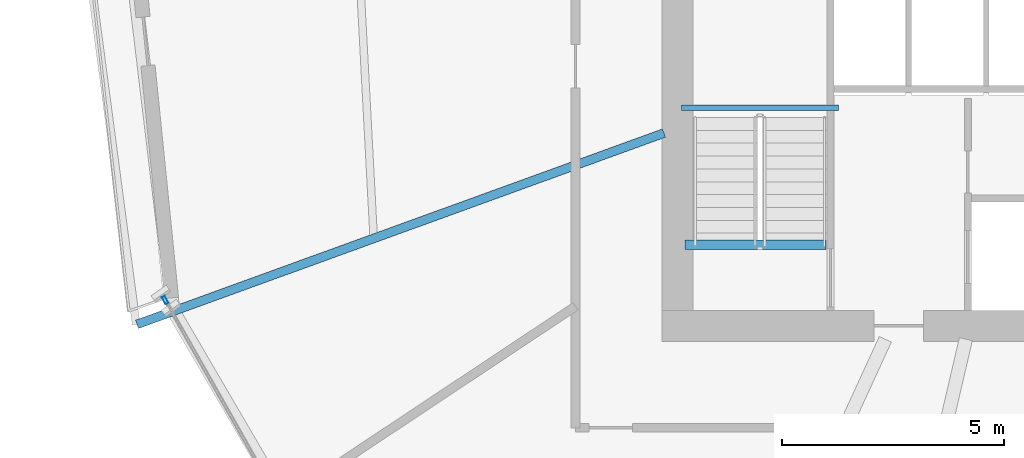
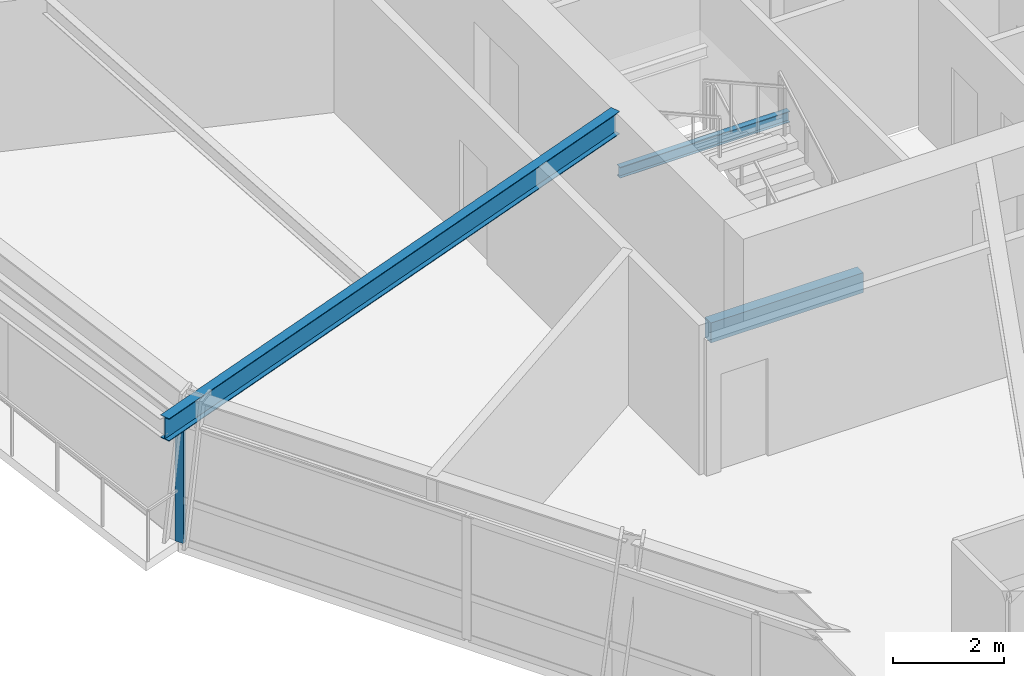
# One storey, part 4 of 18: 3 beams, 1 member, 1 element without a shape of its own.
"""IFC4 building model written with IfcOpenShell, lengths in metres."""

from ifc_helpers import new_model, si_unit, direction, frame, origin, origin_2d, place, context, subcontext, project, spatial, rectangle, hollow_rectangle, i_section, extrude, source, transform, mapped, material, material_profile, profile_set, type_object, element, aggregate, save


model = new_model("IFC4")

# Units and contexts
model_context = context("Model", 3, precision=1e-05, world=origin(), true_north=direction((0.0, 1.0)))
body_context = subcontext(model_context, "Body", "Model", "MODEL_VIEW")
ifc_project = project(units=[si_unit("LENGTHUNIT", "METRE"), si_unit("AREAUNIT", "SQUARE_METRE"), si_unit("VOLUMEUNIT", "CUBIC_METRE"), si_unit("PLANEANGLEUNIT", "RADIAN"), si_unit("MASSUNIT", "GRAM", prefix="KILO")], contexts=[model_context])

# Site, building, storey
site_placement = place(None, origin())
site = spatial("IfcSite", under=ifc_project, at=site_placement, CompositionType="ELEMENT")
building_placement = place(site_placement, origin())
building = spatial("IfcBuilding", under=site, at=building_placement, Name="Olszyna Solenne Hotel", CompositionType="ELEMENT")
storey_placement = place(building_placement, frame((0.0, 0.0, 112.800048828125)))
storey = spatial("IfcBuildingStorey", under=building, at=storey_placement, Name="L29", CompositionType="ELEMENT", Elevation=112.800048828125)

# Beam
ifc_material_1 = material(Name="Steel S355J2", Category="steel")
ifc_material_profile_1 = material_profile(ifc_material_1, i_section(OverallWidth=0.199951171875, OverallDepth=0.5, WebThickness=0.01025390625, FlangeThickness=0.01611328125, at=origin_2d()), Name="IPE 500", Category="load-bearing")
ifc_profile_set_1 = profile_set([ifc_material_profile_1], Name="Steel S355J2")
beam_type_1 = type_object("IfcBeamType", Name="BM-F3", PredefinedType="BEAM", material=ifc_profile_set_1)
shared_shape_1 = source(origin(), body_context, "Body", "SweptSolid", [
    extrude(i_section(OverallWidth=0.199951171875, OverallDepth=0.5, WebThickness=0.01025390625, FlangeThickness=0.01611328125, at=origin_2d()), origin(), (0.0, 0.0, 1.0), 12.649169921875),
])
beam_1_placement = place(storey_placement, frame((17.556640625, 19.18408203125, 3.050048828125), z_axis=(0.940005128615, 0.34116031155, 0.0), x_axis=(-0.34116031155, 0.940005128615, 0.0)))
element("IfcBeam", 1, at=beam_1_placement, inside=storey, type_object=beam_type_1, Name="Radial floor girder BM-F3 B-L29-0885", PredefinedType="BEAM", context=body_context, shape_type="MappedRepresentation", body=[
    mapped(shared_shape_1, transform((0.0, 0.0, 0.0), x_axis=(1.0, 0.0, 0.0), y_axis=(0.0, 1.0, 0.0), z_axis=(0.0, 0.0, 1.0), scale=1.0)),
])

# Curtain wall, member
ifc_material_2 = material(Name="Anodised bronze aluminium", Category="aluminium")
curtain_wall_type = type_object("IfcCurtainWallType", Name="CW-SYS-3", PredefinedType="NOTDEFINED", material=ifc_material_2)
curtain_wall_placement = place(storey_placement, origin())
curtain_wall = element("IfcCurtainWall", 2, at=curtain_wall_placement, inside=storey, type_object=curtain_wall_type, Name="Unitised curtain wall CW-SYS-3 CW-L29-01", PredefinedType="NOTDEFINED")
ifc_material_profile_2 = material_profile(ifc_material_2, hollow_rectangle(XDim=0.074951171875, YDim=0.179931640625, WallThickness=0.00439453125, at=origin_2d()), Name="MULL 180x75x4.5", Category="load-bearing")
ifc_profile_set_2 = profile_set([ifc_material_profile_2], Name="Anodised bronze aluminium")
member_type = type_object("IfcMemberType", Name="CW-M2", PredefinedType="MULLION", material=ifc_profile_set_2)
shared_shape_2 = source(origin(), body_context, "Body", "SweptSolid", [
    extrude(hollow_rectangle(XDim=0.074951171875, YDim=0.179931640625, WallThickness=0.00439453125, at=origin_2d()), origin(), (0.0, 0.0, 1.0), 2.69189453125),
])
member_placement = place(storey_placement, frame((18.193115234375, 19.73193359375, 0.0), z_axis=(0.0, 0.0, 1.0), x_axis=(0.870148373571, 0.492789821295, 0.0)))
member = element("IfcMember", 3, at=member_placement, type_object=member_type, Name="Curtain-wall mullion CW-M2 CM-L29-01-01", PredefinedType="MULLION", context=body_context, shape_type="MappedRepresentation", body=[
    mapped(shared_shape_2, transform((0.0, 0.0, 0.0), x_axis=(1.0, 0.0, 0.0), y_axis=(0.0, 1.0, 0.0), z_axis=(0.0, 0.0, 1.0), scale=1.0)),
])
aggregate(curtain_wall, [member])

# Beams
ifc_material_profile_3 = material_profile(ifc_material_1, i_section(OverallWidth=0.1201171875, OverallDepth=0.239990234375, WebThickness=0.006103515625, FlangeThickness=0.009765625, at=origin_2d()), Name="IPE 240", Category="load-bearing")
ifc_profile_set_3 = profile_set([ifc_material_profile_3], Name="Steel S355J2")
beam_type_2 = type_object("IfcBeamType", Name="JS-03", PredefinedType="JOIST", material=ifc_profile_set_3)
shared_shape_3 = source(origin(), body_context, "Body", "SweptSolid", [
    extrude(i_section(OverallWidth=0.1201171875, OverallDepth=0.239990234375, WebThickness=0.006103515625, FlangeThickness=0.009765625, at=origin_2d()), origin(), (0.0, 0.0, 1.0), 3.539794921875),
])
beam_2_placement = place(storey_placement, frame((33.3798828125, 24.070068359375, 1.449951171875), z_axis=(-1.0, 0.0, 0.0), x_axis=(0.0, -1.0, 0.0)))
element("IfcBeam", 4, at=beam_2_placement, inside=storey, type_object=beam_type_2, Name="Stair landing support beam JS-03 SLB-ST1-0063", PredefinedType="JOIST", context=body_context, shape_type="MappedRepresentation", body=[
    mapped(shared_shape_3, transform((0.0, 0.0, 0.0), x_axis=(1.0, 0.0, 0.0), y_axis=(0.0, 1.0, 0.0), z_axis=(0.0, 0.0, 1.0), scale=1.0)),
])
ifc_material_3 = material(Name="Concrete C50/60", Category="concrete")
ifc_material_profile_4 = material_profile(ifc_material_3, rectangle(XDim=0.219970703125, YDim=0.43994140625, at=origin_2d()), Name="RC 220x440", Category="load-bearing")
ifc_profile_set_4 = profile_set([ifc_material_profile_4], Name="Concrete C50/60")
beam_type_3 = type_object("IfcBeamType", Name="BM-ST1", PredefinedType="BEAM", material=ifc_profile_set_4)
shared_shape_4 = source(origin(), body_context, "Body", "SweptSolid", [
    extrude(rectangle(XDim=0.219970703125, YDim=0.43994140625, at=origin_2d()), origin(), (0.0, 0.0, 1.0), 3.18017578125),
])
beam_3_placement = place(storey_placement, frame((33.10009765625, 20.97998046875, -0.205078125), z_axis=(-1.0, 0.0, 0.0), x_axis=(0.0, -1.0, 0.0)))
element("IfcBeam", 5, at=beam_3_placement, inside=storey, type_object=beam_type_3, Name="Concrete stair trimmer beam BM-ST1 SHB-ST1-0191", PredefinedType="BEAM", context=body_context, shape_type="MappedRepresentation", body=[
    mapped(shared_shape_4, transform((0.0, 0.0, 0.0), x_axis=(1.0, 0.0, 0.0), y_axis=(0.0, 1.0, 0.0), z_axis=(0.0, 0.0, 1.0), scale=1.0)),
])

save(model, "model.ifc")
